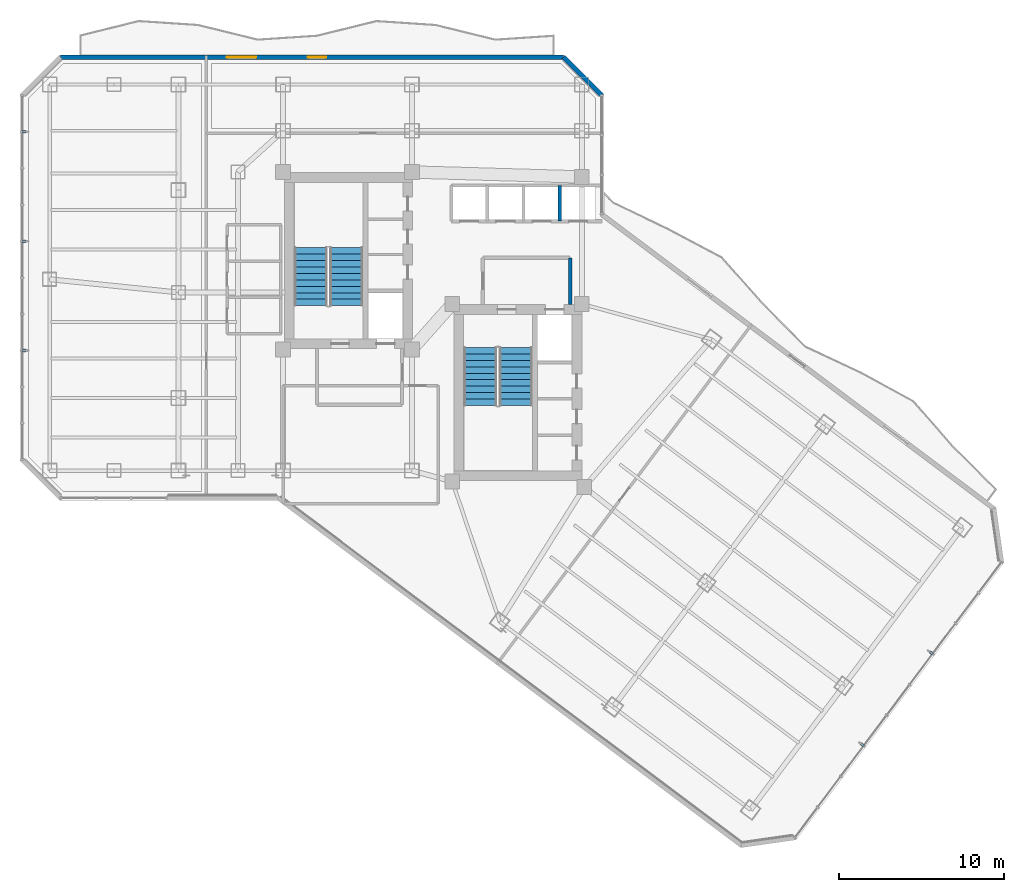
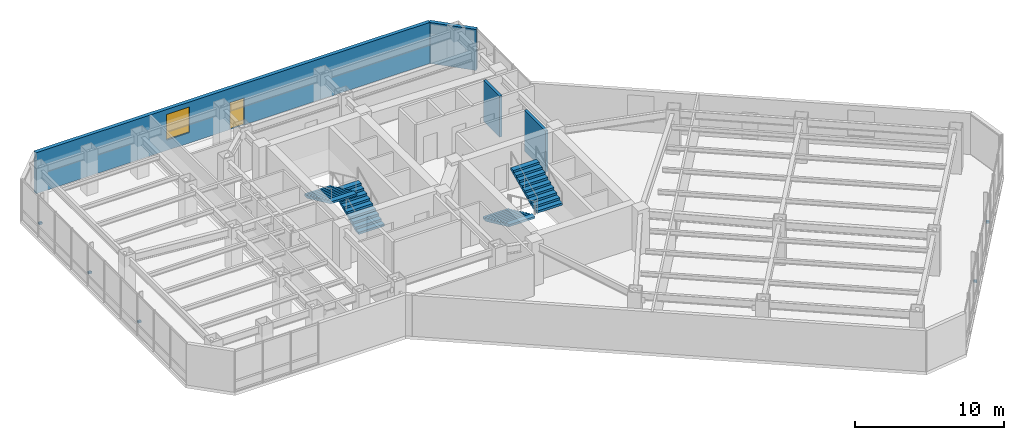
# One storey, part 24 of 29: 5 discrete accessories, 4 stair flights, 4 walls, 1 door, 1 window, 2 openings, 2 elements without a shape of their own.
"""IFC4 building model written with IfcOpenShell, lengths in metres."""

from ifc_helpers import new_model, si_unit, direction, frame, frame_2d, origin, origin_2d, place, context, subcontext, project, spatial, polyline, rectangle, outline, extrude, material, layer, layer_set, type_object, element, fill, aggregate, save


model = new_model("IFC4")

# Units and contexts
model_context = context("Model", 3, precision=1e-05, world=origin(), true_north=direction((0.0, 1.0)))
body_context = subcontext(model_context, "Body", "Model", "MODEL_VIEW")
ifc_project = project(units=[si_unit("LENGTHUNIT", "METRE"), si_unit("AREAUNIT", "SQUARE_METRE"), si_unit("VOLUMEUNIT", "CUBIC_METRE"), si_unit("PLANEANGLEUNIT", "RADIAN"), si_unit("MASSUNIT", "GRAM", prefix="KILO")], contexts=[model_context])

# Site, building, storey
site_placement = place(None, origin())
site = spatial("IfcSite", under=ifc_project, at=site_placement, CompositionType="ELEMENT")
building_placement = place(site_placement, origin())
building = spatial("IfcBuilding", under=site, at=building_placement, Name="Hatsunagi Terrace Concourse", CompositionType="ELEMENT")
storey_placement = place(building_placement, frame((0.0, 0.0, 115.64990234375)))
storey = spatial("IfcBuildingStorey", under=building, at=storey_placement, Name="L30", CompositionType="ELEMENT", Elevation=115.64990234375)

# Walls
ifc_material_1 = material(Name="Acoustic mineral board", Category="gypsum")
ifc_layer_1 = layer(ifc_material_1, 0.199951171875)
ifc_layer_set_1 = layer_set([ifc_layer_1], Name="ShaftWall_EI120_200")
wall_type_1 = type_object("IfcWallType", Name="ShaftWall_EI120_200", PredefinedType="STANDARD", material=ifc_layer_set_1)
wall_1_placement = place(storey_placement, frame((42.949951171875, 35.27001953125, 0.0), z_axis=(0.0, 0.0, 1.0), x_axis=(0.0, 1.0, 0.0)))
element("IfcWall", 1, at=wall_1_placement, inside=storey, type_object=wall_type_1, Name="Interior Partition IW-L30-011", PredefinedType="STANDARD", context=body_context, shape_type="SweptSolid", body=[
    extrude(rectangle(XDim=2.830078125, YDim=0.199951171875, at=frame_2d((1.4150390625, 0.0))), origin(), (0.0, 0.0, 1.0), 3.35009765625),
])
wall_2_placement = place(storey_placement, frame((42.320068359375, 40.320068359375, 0.0), z_axis=(0.0, 0.0, 1.0), x_axis=(0.0, 1.0, 0.0)))
element("IfcWall", 2, at=wall_2_placement, inside=storey, type_object=wall_type_1, Name="Interior Partition IW-L30-017", PredefinedType="STANDARD", context=body_context, shape_type="SweptSolid", body=[
    extrude(rectangle(XDim=2.159912109375, YDim=0.199951171875, at=frame_2d((1.080078125, 0.0))), origin(), (0.0, 0.0, 1.0), 3.35009765625),
])

# Wall, openings, door, window
ifc_material_2 = material(Name="Autoclaved Lightweight Concrete and Terracotta Cladding", Category="masonry")
ifc_layer_2 = layer(ifc_material_2, 0.280029296875)
ifc_layer_set_2 = layer_set([ifc_layer_2], Name="TerracottaSpandrelWall_280")
wall_type_2 = type_object("IfcWallType", Name="TerracottaSpandrelWall_280", PredefinedType="STANDARD", material=ifc_layer_set_2)
wall_3_placement = place(storey_placement, frame((12.05810546875, 50.260009765625, 0.0), z_axis=(0.0, 0.0, 1.0), x_axis=(1.0, 0.0, 0.0)))
wall_3 = element("IfcWall", 3, at=wall_3_placement, inside=storey, type_object=wall_type_2, Name="Exterior Spandrel Wall EW-L30-11", PredefinedType="STANDARD", context=body_context, shape_type="SweptSolid", body=[
    extrude(rectangle(XDim=30.48388671875, YDim=0.280029296875, at=frame_2d((15.241943359375, 0.0))), origin(), (0.0, 0.0, 1.0), 3.35009765625),
])
opening_1_placement = place(wall_3_placement, frame((14.991943359375, 0.0, 0.0)))
opening_1 = element("IfcOpeningElement", 4, at=opening_1_placement, cuts=wall_3, Name="Opening BD-01", PredefinedType="OPENING", context=body_context, shape_type="SweptSolid", body=[
    extrude(rectangle(XDim=1.10009765625, YDim=2.199951171875, at=frame_2d((0.550048828125, 1.10009765625))), frame((0.0, 0.14990234375, 0.0), z_axis=(0.0, -1.0, 0.0), x_axis=(1.0, 0.0, 0.0)), (0.0, 0.0, 1.0), 0.300048828125),
])
opening_2_placement = place(wall_3_placement, frame((10.073974609375, 0.0, 0.85009765625)))
opening_2 = element("IfcOpeningElement", 5, at=opening_2_placement, cuts=wall_3, Name="Opening WIN-03", PredefinedType="OPENING", context=body_context, shape_type="SweptSolid", body=[
    extrude(rectangle(XDim=1.800048828125, YDim=2.10009765625, at=frame_2d((0.89990234375, 1.050048828125))), frame((0.0, 0.14990234375, 0.0), z_axis=(0.0, -1.0, 0.0), x_axis=(1.0, 0.0, 0.0)), (0.0, 0.0, 1.0), 0.300048828125),
])
ifc_material_3 = material(Name="Galvanised Steel and Laminated Safety Glass", Category="steel")
door_type = type_object("IfcDoorType", Name="BalconyTerraceAccessDoor_1100x2200", OperationType="SINGLE_SWING_LEFT", PredefinedType="DOOR", material=ifc_material_3)
door_placement = place(opening_1_placement, origin())
door = element("IfcDoor", 6, at=door_placement, inside=storey, type_object=door_type, Name="Engawa Balcony Door L30-BN", OperationType="SINGLE_SWING_RIGHT", OverallHeight=2.199951171875, OverallWidth=1.10009765625, PredefinedType="DOOR", context=body_context, shape_type="SweptSolid", body=[
    extrude(rectangle(XDim=1.10009765625, YDim=2.199951171875, at=frame_2d((0.550048828125, 1.10009765625))), frame((0.0, 0.02490234375, 0.0), z_axis=(0.0, -1.0, 0.0), x_axis=(1.0, 0.0, 0.0)), (0.0, 0.0, 1.0), 0.050048828125),
])
fill(opening_1, door)
ifc_material_4 = material(Name="Thermally Broken Aluminium and Low-E Triple Glazing", Category="aluminium")
window_type = type_object("IfcWindowType", Name="OfficeCornerFeatureWindow_1800x2100", PartitioningType="SINGLE_PANEL", PredefinedType="WINDOW", material=ifc_material_4)
window_placement = place(opening_2_placement, origin())
window = element("IfcWindow", 7, at=window_placement, inside=storey, type_object=window_type, Name="Balcony Daylighting Window L30-11-1", OverallHeight=2.10009765625, OverallWidth=1.800048828125, PartitioningType="SINGLE_PANEL", PredefinedType="WINDOW", context=body_context, shape_type="SweptSolid", body=[
    extrude(rectangle(XDim=1.800048828125, YDim=2.10009765625, at=frame_2d((0.89990234375, 1.050048828125))), frame((0.0, 0.030029296875, 0.0), z_axis=(0.0, -1.0, 0.0), x_axis=(1.0, 0.0, 0.0)), (0.0, 0.0, 1.0), 0.06005859375),
])
fill(opening_2, window)

# Wall
wall_4_placement = place(storey_placement, frame((42.5419921875, 50.260009765625, 0.0), z_axis=(0.0, 0.0, 1.0), x_axis=(0.707106781187, -0.707106781187, 0.0)))
element("IfcWall", 8, at=wall_4_placement, inside=storey, type_object=wall_type_2, Name="Exterior Spandrel Wall EW-L30-12", PredefinedType="STANDARD", context=body_context, shape_type="SweptSolid", body=[
    extrude(rectangle(XDim=3.2783203125, YDim=0.280029296875, at=frame_2d((1.63916015625, 0.0))), origin(), (0.0, 0.0, 1.0), 3.35009765625),
])

# Stair, stair flights
ifc_material_5 = material(Name="Concrete Fc42", Category="concrete")
stair_type = type_object("IfcStairType", Name="DoglegExitStair_Tower2000_20R_180", PredefinedType="HALF_TURN_STAIR", material=ifc_material_5)
stair_1_placement = place(storey_placement, origin())
stair_1 = element("IfcStair", 9, at=stair_1_placement, inside=storey, type_object=stair_type, Name="L30 Core A Protected Exit Stair ST-A", PredefinedType="HALF_TURN_STAIR")
ifc_material_6 = material(Name="Concrete Fc42", Category="concrete")
stair_flight_type = type_object("IfcStairFlightType", Name="DoglegStairFlight_Tower2000_20R_180", PredefinedType="STRAIGHT", material=ifc_material_6)
stair_flight_1_placement = place(storey_placement, frame((29.3798828125, 35.199951171875, 0.0), z_axis=(0.0, 0.0, 1.0), x_axis=(0.0, 1.0, 0.0)))
stair_flight_1 = element("IfcStairFlight", 10, at=stair_flight_1_placement, type_object=stair_flight_type, Name="ST-A flight 1", NumberOfRisers=10, NumberOfTreads=9, PredefinedType="STRAIGHT", RiserHeight=0.18, TreadLength=0.39, context=body_context, shape_type="SweptSolid", body=[
    extrude(outline(polyline([(0.0, 0.0), (0.0, 0.179931640625), (0.389892578125, 0.179931640625), (0.389892578125, 0.360107421875), (0.780029296875, 0.360107421875), (0.780029296875, 0.5400390625), (1.169921875, 0.5400390625), (1.169921875, 0.719970703125), (1.56005859375, 0.719970703125), (1.56005859375, 0.89990234375), (1.949951171875, 0.89990234375), (1.949951171875, 1.080078125), (2.340087890625, 1.080078125), (2.340087890625, 1.260009765625), (2.72998046875, 1.260009765625), (2.72998046875, 1.43994140625), (3.1201171875, 1.43994140625), (3.1201171875, 1.6201171875), (3.510009765625, 1.6201171875), (3.510009765625, 1.800048828125), (3.510009765625, 1.454833984375), (0.357666015625, 0.0), (0.0, 0.0)])), frame((0.0, 1.0, 0.0), z_axis=(0.0, -1.0, 0.0), x_axis=(1.0, 0.0, 0.0)), (0.0, 0.0, 1.0), 2.0),
])
stair_flight_2_placement = place(storey_placement, frame((27.22998046875, 38.7099609375, 1.800048828125), z_axis=(0.0, 0.0, 1.0), x_axis=(0.0, -1.0, 0.0)))
stair_flight_2 = element("IfcStairFlight", 11, at=stair_flight_2_placement, type_object=stair_flight_type, Name="ST-A flight 2", NumberOfRisers=10, NumberOfTreads=9, PredefinedType="STRAIGHT", RiserHeight=0.18, TreadLength=0.39, context=body_context, shape_type="SweptSolid", body=[
    extrude(outline(polyline([(0.0, 0.0), (0.0, 0.179931640625), (0.389892578125, 0.179931640625), (0.389892578125, 0.360107421875), (0.780029296875, 0.360107421875), (0.780029296875, 0.5400390625), (1.169921875, 0.5400390625), (1.169921875, 0.719970703125), (1.56005859375, 0.719970703125), (1.56005859375, 0.89990234375), (1.949951171875, 0.89990234375), (1.949951171875, 1.080078125), (2.340087890625, 1.080078125), (2.340087890625, 1.260009765625), (2.72998046875, 1.260009765625), (2.72998046875, 1.43994140625), (3.1201171875, 1.43994140625), (3.1201171875, 1.6201171875), (3.510009765625, 1.6201171875), (3.510009765625, 1.800048828125), (3.510009765625, 1.454833984375), (0.357666015625, 0.0), (0.0, 0.0)])), frame((0.0, 1.0, 0.0), z_axis=(0.0, -1.0, 0.0), x_axis=(1.0, 0.0, 0.0)), (0.0, 0.0, 1.0), 2.0),
])
aggregate(stair_1, [stair_flight_1, stair_flight_2])

stair_2_placement = place(storey_placement, origin())
stair_2 = element("IfcStair", 12, at=stair_2_placement, inside=storey, type_object=stair_type, Name="L30 Core B Protected Exit Stair ST-B", PredefinedType="HALF_TURN_STAIR")
stair_flight_3_placement = place(storey_placement, frame((37.5, 32.659912109375, 0.0), z_axis=(0.0, 0.0, 1.0), x_axis=(0.0, -1.0, 0.0)))
stair_flight_3 = element("IfcStairFlight", 13, at=stair_flight_3_placement, type_object=stair_flight_type, Name="ST-B flight 1", NumberOfRisers=10, NumberOfTreads=9, PredefinedType="STRAIGHT", RiserHeight=0.18, TreadLength=0.39, context=body_context, shape_type="SweptSolid", body=[
    extrude(outline(polyline([(0.0, 0.0), (0.0, 0.179931640625), (0.389892578125, 0.179931640625), (0.389892578125, 0.360107421875), (0.780029296875, 0.360107421875), (0.780029296875, 0.5400390625), (1.169921875, 0.5400390625), (1.169921875, 0.719970703125), (1.56005859375, 0.719970703125), (1.56005859375, 0.89990234375), (1.949951171875, 0.89990234375), (1.949951171875, 1.080078125), (2.340087890625, 1.080078125), (2.340087890625, 1.260009765625), (2.72998046875, 1.260009765625), (2.72998046875, 1.43994140625), (3.1201171875, 1.43994140625), (3.1201171875, 1.6201171875), (3.510009765625, 1.6201171875), (3.510009765625, 1.800048828125), (3.510009765625, 1.454833984375), (0.357666015625, 0.0), (0.0, 0.0)])), frame((0.0, 1.0, 0.0), z_axis=(0.0, -1.0, 0.0), x_axis=(1.0, 0.0, 0.0)), (0.0, 0.0, 1.0), 2.0),
])
stair_flight_4_placement = place(storey_placement, frame((39.64990234375, 29.14990234375, 1.800048828125), z_axis=(0.0, 0.0, 1.0), x_axis=(0.0, 1.0, 0.0)))
stair_flight_4 = element("IfcStairFlight", 14, at=stair_flight_4_placement, type_object=stair_flight_type, Name="ST-B flight 2", NumberOfRisers=10, NumberOfTreads=9, PredefinedType="STRAIGHT", RiserHeight=0.18, TreadLength=0.39, context=body_context, shape_type="SweptSolid", body=[
    extrude(outline(polyline([(0.0, 0.0), (0.0, 0.179931640625), (0.389892578125, 0.179931640625), (0.389892578125, 0.360107421875), (0.780029296875, 0.360107421875), (0.780029296875, 0.5400390625), (1.169921875, 0.5400390625), (1.169921875, 0.719970703125), (1.56005859375, 0.719970703125), (1.56005859375, 0.89990234375), (1.949951171875, 0.89990234375), (1.949951171875, 1.080078125), (2.340087890625, 1.080078125), (2.340087890625, 1.260009765625), (2.72998046875, 1.260009765625), (2.72998046875, 1.43994140625), (3.1201171875, 1.43994140625), (3.1201171875, 1.6201171875), (3.510009765625, 1.6201171875), (3.510009765625, 1.800048828125), (3.510009765625, 1.454833984375), (0.357666015625, 0.0), (0.0, 0.0)])), frame((0.0, 1.0, 0.0), z_axis=(0.0, -1.0, 0.0), x_axis=(1.0, 0.0, 0.0)), (0.0, 0.0, 1.0), 2.0),
])
aggregate(stair_2, [stair_flight_3, stair_flight_4])

# Discrete accessories
ifc_material_7 = material(Name="Stainless Steel SUS316 Bracket", Category="steel")
discrete_accessory_type = type_object("IfcDiscreteAccessoryType", Name="FacadeScreenSupportBracket_SS", PredefinedType="BRACKET", material=ifc_material_7)
for number, where, z_axis, x_axis, name in (
    (15, (64.827880859375, 14.155029296875, 0.97021484375), (0.0, 0.0, 1.0), (-0.599969314634, -0.800023013105, 0.0), "Terracotta Screen Bracket BRK-01"),
    (16, (60.652099609375, 8.5849609375, 0.97021484375), (0.0, 0.0, 1.0), (-0.599969314634, -0.800023013105, 0.0), "Terracotta Screen Bracket BRK-01"),
    (17, (9.85009765625, 32.48291015625, 0.97021484375), (0.0, 0.0, 1.0), (0.0, 1.0, 0.0), "Terracotta Screen Bracket BRK-01"),
    (18, (9.85009765625, 39.10791015625, 0.97021484375), (0.0, 0.0, 1.0), (0.0, 1.0, 0.0), "Terracotta Screen Bracket BRK-01"),
    (19, (9.85009765625, 45.73388671875, 0.97021484375), (0.0, 0.0, 1.0), (0.0, 1.0, 0.0), "Terracotta Screen Bracket BRK-01"),
):
    element("IfcDiscreteAccessory", number, at=place(storey_placement, frame(where, z_axis=z_axis, x_axis=x_axis)), inside=storey, type_object=discrete_accessory_type, Name=name, PredefinedType="BRACKET", context=body_context, shape_type="SweptSolid", body=[
        extrude(rectangle(XDim=0.159912109375, YDim=0.239990234375, at=origin_2d()), origin(), (0.0, 0.0, 1.0), 0.159912109375),
    ])

save(model, "model.ifc")
